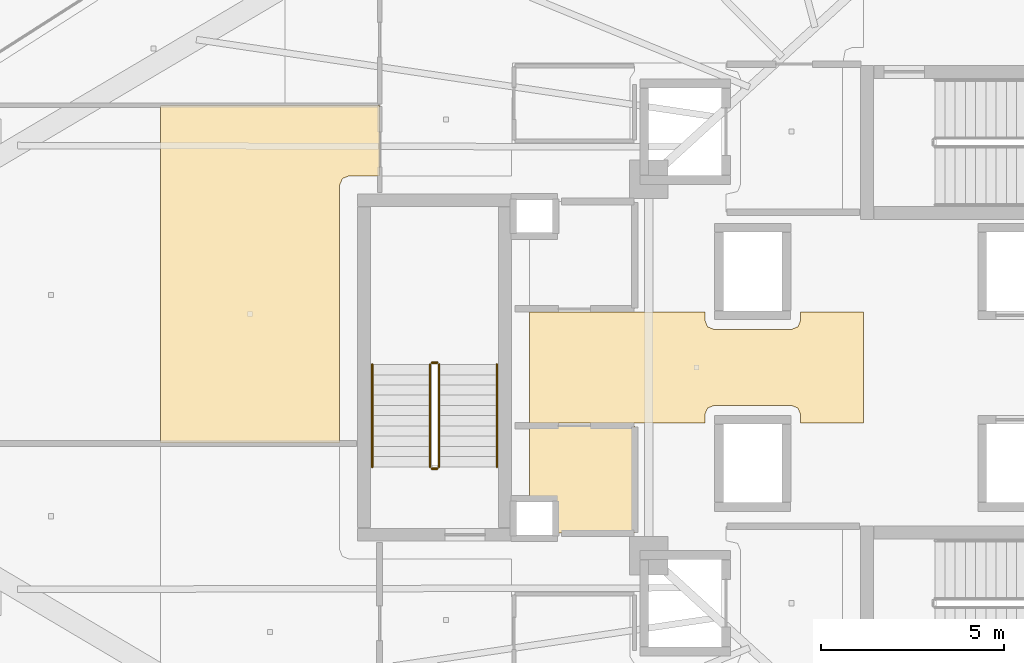
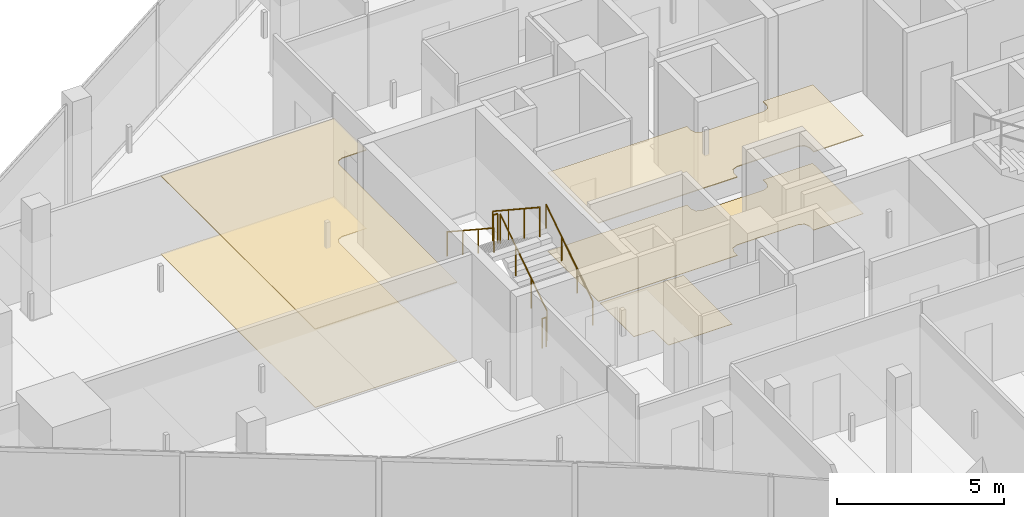
# One storey, part 30 of 35: 6 railings, 5 coverings.
"""IFC4 building model written with IfcOpenShell, lengths in metres."""

import ifcopenshell
import ifcopenshell.guid

model = None  # the IFC model being written
_history = None  # IfcOwnerHistory: only IFC2X3 demands one
_inside = {}  # id of a spatial element -> (the spatial element, [elements in it])
_under = {}  # id of a project, library or spatial element -> (it, [spatial elements below it])
_declared = {}  # id of a project -> (the project, [libraries it declares])
_typed = {}  # id of a type object -> (the type object, [elements of that type])
_made_of = {}  # id of a material, layer set ... -> (it, [elements and type objects made of it])


def new_model(schema):
    """Start an empty IFC model of exactly this schema.

    Asked for "IFC4X3", IfcOpenShell would pick the latest addendum, in which some entities
    have other attributes; the version numbers below select the first issue.
    IFC2X3 requires an IfcOwnerHistory on every rooted entity: one is made here for all.
    """
    global model, _history
    if schema == "IFC4X3":
        model = ifcopenshell.file(schema_version=(4, 3, 0, 0))
    else:
        model = ifcopenshell.file(schema=schema)
    _inside.clear()
    _under.clear()
    _declared.clear()
    _typed.clear()
    _made_of.clear()
    _history = None
    if model.schema == "IFC2X3":
        org = make("IfcOrganization", Name="unknown")
        user = make(
            "IfcPersonAndOrganization",
            ThePerson=make("IfcPerson", FamilyName="unknown"),
            TheOrganization=org,
        )
        app = make(
            "IfcApplication",
            ApplicationDeveloper=org,
            Version="unknown",
            ApplicationFullName="unknown",
            ApplicationIdentifier="unknown",
        )
        _history = make(
            "IfcOwnerHistory",
            OwningUser=user,
            OwningApplication=app,
            ChangeAction="ADDED",
            CreationDate=0,
        )
    return model


def make(cls, **values):
    """One entity of the class cls with the attributes given. An attribute that is None is left unset."""
    return model.create_entity(
        cls, **{name: value for name, value in values.items() if value is not None}
    )


def rooted(cls, **values):
    """An entity with a GlobalId (a new one), such as an element, a storey or a relation."""
    return make(cls, GlobalId=ifcopenshell.guid.new(), OwnerHistory=_history, **values)


def si_unit(unit_type, name, prefix=None):
    """IfcSIUnit, for example si_unit("LENGTHUNIT", "METRE", prefix="MILLI")."""
    return make("IfcSIUnit", UnitType=unit_type, Prefix=prefix, Name=name)


def assignment(units):
    """IfcUnitAssignment: the units of a project."""
    return None if units is None else make("IfcUnitAssignment", Units=units)


def point(xyz):
    """IfcCartesianPoint."""
    return None if xyz is None else make("IfcCartesianPoint", Coordinates=xyz)


def direction(xyz):
    """IfcDirection."""
    return None if xyz is None else make("IfcDirection", DirectionRatios=xyz)


def frame(location, z_axis=None, x_axis=None):
    """IfcAxis2Placement3D, a coordinate frame: its origin and axes. An axis left out is left unset."""
    return make(
        "IfcAxis2Placement3D",
        Location=point(location),
        Axis=direction(z_axis),
        RefDirection=direction(x_axis),
    )


def frame_2d(location, x_axis=None):
    """IfcAxis2Placement2D, a coordinate frame in the plane: its origin and x axis."""
    return make(
        "IfcAxis2Placement2D", Location=point(location), RefDirection=direction(x_axis)
    )


def origin():
    """The frame at (0, 0, 0) with its axes left unset."""
    return frame((0.0, 0.0, 0.0))


def origin_2d():
    """The frame at (0, 0) in the plane with its x axis left unset."""
    return frame_2d((0.0, 0.0))


def place(relative_to, where):
    """IfcLocalPlacement: puts the frame where relative to a parent placement (None: the world)."""
    return make(
        "IfcLocalPlacement", PlacementRelTo=relative_to, RelativePlacement=where
    )


def context(
    kind, dimensions, precision=None, world=None, true_north=None, identifier=None
):
    """IfcGeometricRepresentationContext, for example the 3D "Model" context."""
    return make(
        "IfcGeometricRepresentationContext",
        ContextIdentifier=identifier,
        ContextType=kind,
        CoordinateSpaceDimension=dimensions,
        Precision=precision,
        WorldCoordinateSystem=world,
        TrueNorth=true_north,
    )


def subcontext(parent, identifier, kind, view, scale=None):
    """IfcGeometricRepresentationSubContext, for example "Body" below "Model"."""
    return make(
        "IfcGeometricRepresentationSubContext",
        ContextIdentifier=identifier,
        ContextType=kind,
        ParentContext=parent,
        TargetScale=scale,
        TargetView=view,
    )


def project(units=None, contexts=None):
    """IfcProject with its units and contexts."""
    return rooted(
        "IfcProject",
        Name="project",
        RepresentationContexts=contexts,
        UnitsInContext=assignment(units),
    )


def spatial(cls, under=None, at=None, **own):
    """A site, building, storey or space (cls), placed at a placement, below another one or the project."""
    s = rooted(cls, ObjectPlacement=at, **own)
    if under is not None:
        _under.setdefault(under.id(), (under, []))[1].append(s)
    return s


def polyline(points):
    """IfcPolyline through the points."""
    return make("IfcPolyline", Points=[point(p) for p in points])


def profile(cls, at=None, kind="AREA", **sizes):
    """A parametric profile (cls). Its sizes go by their IFC names, for example OverallWidth=200.0."""
    return make(cls, ProfileType=kind, Position=at, **sizes)


def circle(**sizes):
    """IfcCircleProfileDef."""
    return profile("IfcCircleProfileDef", **sizes)


def outline(outer, holes=None, kind="AREA"):
    """IfcArbitraryClosedProfileDef: a profile drawn as a closed curve; with holes, ...WithVoids."""
    if holes is None:
        return make("IfcArbitraryClosedProfileDef", ProfileType=kind, OuterCurve=outer)
    return make(
        "IfcArbitraryProfileDefWithVoids",
        ProfileType=kind,
        OuterCurve=outer,
        InnerCurves=holes,
    )


def extrude(swept, where, along, depth):
    """IfcExtrudedAreaSolid: the profile swept, set in the frame where, extruded along a direction by depth."""
    return make(
        "IfcExtrudedAreaSolid",
        SweptArea=swept,
        Position=where,
        ExtrudedDirection=direction(along),
        Depth=depth,
    )


def shape(context_of_items, identifier, shape_type, items):
    """IfcShapeRepresentation: the items that make up one representation, for example the "Body"."""
    return make(
        "IfcShapeRepresentation",
        ContextOfItems=context_of_items,
        RepresentationIdentifier=identifier,
        RepresentationType=shape_type,
        Items=items,
    )


def material(Name=None, Category=None):
    """IfcMaterial."""
    return make("IfcMaterial", Name=Name, Category=Category)


def layer(
    of_material, thickness, ventilated=None, Name=None, Category=None, Priority=None
):
    """IfcMaterialLayer: one layer of a wall or slab, of a material (None: an air gap)."""
    return make(
        "IfcMaterialLayer",
        Material=of_material,
        LayerThickness=thickness,
        IsVentilated=ventilated,
        Name=Name,
        Category=Category,
        Priority=Priority,
    )


def layer_set(layers, Name=None):
    """IfcMaterialLayerSet."""
    return make("IfcMaterialLayerSet", MaterialLayers=layers, LayerSetName=Name)


def made_of(thing, what):
    """Note that an element or type object is made of a material, layer set ...; save() writes the relation."""
    if what is not None:
        _made_of.setdefault(what.id(), (what, []))[1].append(thing)
    return thing


def type_object(cls, material=None, **own):
    """A type object (cls), such as IfcWallType, which elements share."""
    return made_of(rooted(cls, **own), material)


def element(
    cls,
    number,
    at=None,
    inside=None,
    cuts=None,
    type_object=None,
    material=None,
    context=None,
    identifier="Body",
    shape_type=None,
    held_by="IfcProductDefinitionShape",
    body=None,
    shapes=None,
    **own,
):
    """One element of the class cls, such as IfcWall. Its Tag is "e" and its number.

    at: its placement. inside: the storey or other place that contains it. cuts: it is an
    opening in that element (IfcRelVoidsElement). A single representation is given by context,
    identifier, shape_type and body (its items); several are given by shapes. held_by: the class
    of the entity that holds the representations. save() writes the other relations.
    """
    e = rooted(cls, Tag="e%d" % number, ObjectPlacement=at, **own)
    if body is not None:
        shapes = [shape(context, identifier, shape_type, body)]
    if shapes is not None:
        e.Representation = make(held_by, Representations=shapes)
    if inside is not None:
        _inside.setdefault(inside.id(), (inside, []))[1].append(e)
    if cuts is not None:
        rooted(
            "IfcRelVoidsElement", RelatingBuildingElement=cuts, RelatedOpeningElement=e
        )
    if type_object is not None:
        _typed.setdefault(type_object.id(), (type_object, []))[1].append(e)
    return made_of(e, material)


def aggregate(whole, parts):
    """IfcRelAggregates: a whole, such as a stair, and the parts it consists of."""
    return rooted("IfcRelAggregates", RelatingObject=whole, RelatedObjects=parts)


def save(model, path):
    """Write the relations noted so far, then the file.

    IfcRelAggregates (storeys below a building ...), IfcRelContainedInSpatialStructure (elements
    in a storey), IfcRelDefinesByType, IfcRelAssociatesMaterial and IfcRelDeclares: one each for
    every whole, place, type object, material and project.
    """
    for whole, parts in _under.values():
        aggregate(whole, parts)
    for where, things in _inside.values():
        rooted(
            "IfcRelContainedInSpatialStructure",
            RelatedElements=things,
            RelatingStructure=where,
        )
    for kind, things in _typed.values():
        rooted("IfcRelDefinesByType", RelatedObjects=things, RelatingType=kind)
    for what, things in _made_of.values():
        rooted("IfcRelAssociatesMaterial", RelatedObjects=things, RelatingMaterial=what)
    for by, libraries in _declared.values():
        rooted("IfcRelDeclares", RelatingContext=by, RelatedDefinitions=libraries)
    model.write(path)


model = new_model("IFC4")

# Units and contexts
model_context = context("Model", 3, precision=1e-05, world=origin(), true_north=direction((0.0, 1.0)))
body_context = subcontext(model_context, "Body", "Model", "MODEL_VIEW")
ifc_project = project(units=[si_unit("LENGTHUNIT", "METRE"), si_unit("AREAUNIT", "SQUARE_METRE"), si_unit("VOLUMEUNIT", "CUBIC_METRE"), si_unit("PLANEANGLEUNIT", "RADIAN"), si_unit("MASSUNIT", "GRAM", prefix="KILO")], contexts=[model_context])

# Site, building, storey
site_placement = place(None, origin())
site = spatial("IfcSite", under=ifc_project, at=site_placement, CompositionType="ELEMENT")
building_placement = place(site_placement, origin())
building = spatial("IfcBuilding", under=site, at=building_placement, Name="Qorvath Tower", CompositionType="ELEMENT")
storey_placement = place(building_placement, frame((0.0, 0.0, 166.5)))
storey = spatial("IfcBuildingStorey", under=building, at=storey_placement, Name="L38", CompositionType="ELEMENT", Elevation=166.5)

# Coverings
ifc_material_1 = material(Name="Acoustic mineral fibre ceiling tile", Category="gypsum")
ifc_layer_1 = layer(ifc_material_1, 0.030029296875)
ifc_layer_set_1 = layer_set([ifc_layer_1], Name="COV-CEIL")
covering_type_1 = type_object("IfcCoveringType", Name="COV-CEIL", PredefinedType="CEILING", material=ifc_layer_set_1)
covering_1_placement = place(storey_placement, frame((0.0, 0.0, 2.85009765625)))
element("IfcCovering", 1, at=covering_1_placement, inside=storey, type_object=covering_type_1, Name="L38 Suspended Acoustic Ceiling 010", PredefinedType="CEILING", context=body_context, shape_type="SweptSolid", body=[
    extrude(outline(polyline([(-24.621826171875, -1.514892578125), (-24.621826171875, 1.514892578125), (-26.340087890625, 1.514892578125), (-26.340087890625, 1.2900390625), (-26.413330078125, 1.11328125), (-26.590087890625, 1.0400390625), (-28.7099609375, 1.0400390625), (-28.88671875, 1.11328125), (-28.9599609375, 1.2900390625), (-28.9599609375, 1.514892578125), (-33.760009765625, 1.514892578125), (-33.760009765625, -1.514892578125), (-28.9599609375, -1.514892578125), (-28.9599609375, -1.2900390625), (-28.88671875, -1.11328125), (-28.7099609375, -1.0400390625), (-26.590087890625, -1.0400390625), (-26.413330078125, -1.11328125), (-26.340087890625, -1.2900390625), (-26.340087890625, -1.514892578125), (-24.621826171875, -1.514892578125)])), origin(), (0.0, 0.0, 1.0), 0.030029296875),
])
covering_2_placement = place(storey_placement, frame((0.0, 0.0, 2.85009765625)))
element("IfcCovering", 2, at=covering_2_placement, inside=storey, type_object=covering_type_1, Name="L38 Suspended Acoustic Ceiling 049", PredefinedType="CEILING", context=body_context, shape_type="SweptSolid", body=[
    extrude(outline(polyline([(-43.8505859375, 7.165283203125), (-43.8505859375, -2.06689453125), (-38.949951171875, -2.06689453125), (-38.949951171875, 4.989990234375), (-38.876708984375, 5.166748046875), (-38.699951171875, 5.239990234375), (-37.863037109375, 5.239990234375), (-37.863037109375, 7.165283203125), (-43.8505859375, 7.165283203125)])), origin(), (0.0, 0.0, 1.0), 0.030029296875),
])
ifc_material_2 = material(Name="Low-VOC modular carpet tile", Category="textile")
ifc_layer_2 = layer(ifc_material_2, 0.014892578125)
ifc_layer_set_2 = layer_set([ifc_layer_2], Name="COV-FLOOR-CPT")
covering_type_2 = type_object("IfcCoveringType", Name="COV-FLOOR-CPT", PredefinedType="FLOORING", material=ifc_layer_set_2)
covering_3_placement = place(storey_placement, origin())
element("IfcCovering", 3, at=covering_3_placement, inside=storey, type_object=covering_type_2, Name="L38 Floor Finish 007", PredefinedType="FLOORING", context=body_context, shape_type="SweptSolid", body=[
    extrude(outline(polyline([(-30.885009765625, -4.534912109375), (-30.885009765625, -1.60498046875), (-33.760009765625, -1.60498046875), (-33.760009765625, -3.636962890625), (-33.08837890625, -3.638427734375), (-33.0869140625, -4.534912109375), (-30.885009765625, -4.534912109375)])), origin(), (0.0, 0.0, 1.0), 0.014892578125),
])
covering_4_placement = place(storey_placement, origin())
element("IfcCovering", 4, at=covering_4_placement, inside=storey, type_object=covering_type_2, Name="L38 Floor Finish 049", PredefinedType="FLOORING", context=body_context, shape_type="SweptSolid", body=[
    extrude(outline(polyline([(-43.8505859375, 7.165283203125), (-43.8505859375, -2.06689453125), (-38.949951171875, -2.06689453125), (-38.949951171875, 4.989990234375), (-38.876708984375, 5.166748046875), (-38.699951171875, 5.239990234375), (-37.863037109375, 5.239990234375), (-37.863037109375, 7.165283203125), (-43.8505859375, 7.165283203125)])), origin(), (0.0, 0.0, 1.0), 0.014892578125),
])
ifc_material_3 = material(Name="Polished epoxy terrazzo flooring", Category="concrete")
ifc_layer_3 = layer(ifc_material_3, 0.02001953125)
ifc_layer_set_3 = layer_set([ifc_layer_3], Name="COV-FLOOR-TRZ")
covering_type_3 = type_object("IfcCoveringType", Name="COV-FLOOR-TRZ", PredefinedType="FLOORING", material=ifc_layer_set_3)
covering_5_placement = place(storey_placement, origin())
element("IfcCovering", 5, at=covering_5_placement, inside=storey, type_object=covering_type_3, Name="L38 Floor Finish 010", PredefinedType="FLOORING", context=body_context, shape_type="SweptSolid", body=[
    extrude(outline(polyline([(-24.621826171875, -1.514892578125), (-24.621826171875, 1.514892578125), (-26.340087890625, 1.514892578125), (-26.340087890625, 1.2900390625), (-26.413330078125, 1.11328125), (-26.590087890625, 1.0400390625), (-28.7099609375, 1.0400390625), (-28.88671875, 1.11328125), (-28.9599609375, 1.2900390625), (-28.9599609375, 1.514892578125), (-33.760009765625, 1.514892578125), (-33.760009765625, -1.514892578125), (-28.9599609375, -1.514892578125), (-28.9599609375, -1.2900390625), (-28.88671875, -1.11328125), (-28.7099609375, -1.0400390625), (-26.590087890625, -1.0400390625), (-26.413330078125, -1.11328125), (-26.340087890625, -1.2900390625), (-26.340087890625, -1.514892578125), (-24.621826171875, -1.514892578125)])), origin(), (0.0, 0.0, 1.0), 0.014892578125),
])

# Railings
ifc_material_4 = material(Name="Painted galvanised steel", Category="steel")
railing_type_1 = type_object("IfcRailingType", Name="RL-STR-GRD", PredefinedType="GUARDRAIL", material=ifc_material_4)
railing_1_placement = place(storey_placement, frame((-36.22998046875, -2.719970703125, 0.18408203125)))
element("IfcRailing", 6, at=railing_1_placement, inside=storey, type_object=railing_type_1, Name="L38 TS3 stair guard 1", PredefinedType="GUARDRAIL", context=body_context, shape_type="SweptSolid", body=[
    extrude(circle(Radius=0.02392578125, at=origin_2d()), frame((0.0, 0.0, 1.076171875), z_axis=(0.0, 0.835597507184, 0.549342157483), x_axis=(-1.0, 0.0, 0.0)), (0.0, 0.0, 1.0), 3.35107421875),
    extrude(circle(Radius=0.02099609375, at=origin_2d()), origin(), (0.0, 0.0, 1.0), 1.052001953125),
    extrude(circle(Radius=0.02099609375, at=origin_2d()), frame((0.0, 0.933349609375, 0.613525390625)), (0.0, 0.0, 1.0), 1.052001953125),
    extrude(circle(Radius=0.02099609375, at=origin_2d()), frame((0.0, 1.86669921875, 1.227294921875)), (0.0, 0.0, 1.0), 1.052001953125),
    extrude(circle(Radius=0.02099609375, at=origin_2d()), frame((0.0, 2.800048828125, 1.8408203125)), (0.0, 0.0, 1.0), 1.052001953125),
])
railing_2_placement = place(storey_placement, frame((-36.280029296875, 0.1298828125, 2.02490234375)))
element("IfcRailing", 7, at=railing_2_placement, inside=storey, type_object=railing_type_1, Name="L38 TS3 stair guard 2", PredefinedType="GUARDRAIL", context=body_context, shape_type="SweptSolid", body=[
    extrude(circle(Radius=0.02392578125, at=origin_2d()), frame((0.0, 0.0, 1.076171875), z_axis=(-1.0, 0.0, 0.0), x_axis=(0.0, -1.0, 0.0)), (0.0, 0.0, 1.0), 0.14990234375),
    extrude(circle(Radius=0.02099609375, at=origin_2d()), origin(), (0.0, 0.0, 1.0), 1.052001953125),
    extrude(circle(Radius=0.02099609375, at=origin_2d()), frame((-0.14990234375, 0.0, 0.0)), (0.0, 0.0, 1.0), 1.052001953125),
])
railing_3_placement = place(storey_placement, frame((-36.47998046875, 0.080078125, 2.208984375)))
element("IfcRailing", 8, at=railing_3_placement, inside=storey, type_object=railing_type_1, Name="L38 TS3 stair guard 3", PredefinedType="GUARDRAIL", context=body_context, shape_type="SweptSolid", body=[
    extrude(circle(Radius=0.02392578125, at=origin_2d()), frame((0.0, 0.0, 1.076171875), z_axis=(0.0, -0.83556406348, 0.549393024911), x_axis=(1.0, 0.0, 0.0)), (0.0, 0.0, 1.0), 3.35107421875),
    extrude(circle(Radius=0.02099609375, at=origin_2d()), origin(), (0.0, 0.0, 1.0), 1.052001953125),
    extrude(circle(Radius=0.02099609375, at=origin_2d()), frame((0.0, -0.933349609375, 0.61376953125)), (0.0, 0.0, 1.0), 1.052001953125),
    extrude(circle(Radius=0.02099609375, at=origin_2d()), frame((0.0, -1.86669921875, 1.227294921875)), (0.0, 0.0, 1.0), 1.052001953125),
    extrude(circle(Radius=0.02099609375, at=origin_2d()), frame((0.0, -2.800048828125, 1.841064453125)), (0.0, 0.0, 1.0), 1.052001953125),
])
railing_4_placement = place(storey_placement, frame((-36.280029296875, -2.77001953125, 0.0)))
element("IfcRailing", 9, at=railing_4_placement, inside=storey, type_object=railing_type_1, Name="L38 TS3 stair guard 4", PredefinedType="GUARDRAIL", context=body_context, shape_type="SweptSolid", body=[
    extrude(circle(Radius=0.02392578125, at=origin_2d()), frame((0.0, 0.0, 1.076171875), z_axis=(-1.0, 0.0, 0.0), x_axis=(0.0, -1.0, 0.0)), (0.0, 0.0, 1.0), 0.14990234375),
    extrude(circle(Radius=0.02099609375, at=origin_2d()), origin(), (0.0, 0.0, 1.0), 1.052001953125),
    extrude(circle(Radius=0.02099609375, at=origin_2d()), frame((-0.14990234375, 0.0, 0.0)), (0.0, 0.0, 1.0), 1.052001953125),
])
ifc_material_5 = material(Name="Brushed stainless steel AISI 304", Category="steel")
railing_type_2 = type_object("IfcRailingType", Name="RL-STR-HND", PredefinedType="HANDRAIL", material=ifc_material_5)
railing_5_placement = place(storey_placement, frame((-34.64990234375, -2.719970703125, 0.18408203125)))
element("IfcRailing", 10, at=railing_5_placement, inside=storey, type_object=railing_type_2, Name="L38 TS3 stair handrail 1", PredefinedType="HANDRAIL", context=body_context, shape_type="SweptSolid", body=[
    extrude(circle(Radius=0.02392578125, at=origin_2d()), frame((0.0, 0.0, 0.8759765625), z_axis=(0.0, 0.835597507184, 0.549342157483), x_axis=(-1.0, 0.0, 0.0)), (0.0, 0.0, 1.0), 3.35107421875),
    extrude(circle(Radius=0.02099609375, at=origin_2d()), origin(), (0.0, 0.0, 1.0), 0.851806640625),
    extrude(circle(Radius=0.02099609375, at=origin_2d()), frame((0.0, 0.933349609375, 0.613525390625)), (0.0, 0.0, 1.0), 0.851806640625),
    extrude(circle(Radius=0.02099609375, at=origin_2d()), frame((0.0, 1.86669921875, 1.227294921875)), (0.0, 0.0, 1.0), 0.851806640625),
    extrude(circle(Radius=0.02099609375, at=origin_2d()), frame((0.0, 2.800048828125, 1.8408203125)), (0.0, 0.0, 1.0), 0.851806640625),
])
railing_6_placement = place(storey_placement, frame((-38.06005859375, 0.080078125, 2.208984375)))
element("IfcRailing", 11, at=railing_6_placement, inside=storey, type_object=railing_type_2, Name="L38 TS3 stair handrail 2", PredefinedType="HANDRAIL", context=body_context, shape_type="SweptSolid", body=[
    extrude(circle(Radius=0.02392578125, at=origin_2d()), frame((0.0, 0.0, 0.8759765625), z_axis=(0.0, -0.83556406348, 0.549393024911), x_axis=(1.0, 0.0, 0.0)), (0.0, 0.0, 1.0), 3.35107421875),
    extrude(circle(Radius=0.02099609375, at=origin_2d()), origin(), (0.0, 0.0, 1.0), 0.851806640625),
    extrude(circle(Radius=0.02099609375, at=origin_2d()), frame((0.0, -0.933349609375, 0.61376953125)), (0.0, 0.0, 1.0), 0.851806640625),
    extrude(circle(Radius=0.02099609375, at=origin_2d()), frame((0.0, -1.86669921875, 1.227294921875)), (0.0, 0.0, 1.0), 0.851806640625),
    extrude(circle(Radius=0.02099609375, at=origin_2d()), frame((0.0, -2.800048828125, 1.841064453125)), (0.0, 0.0, 1.0), 0.851806640625),
])

save(model, "model.ifc")
